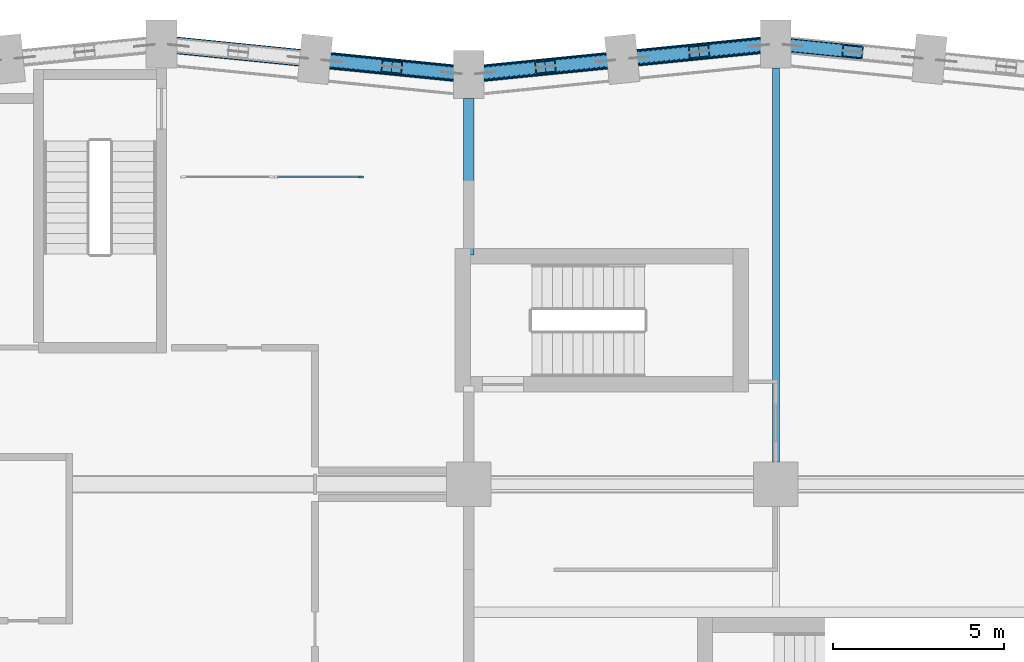
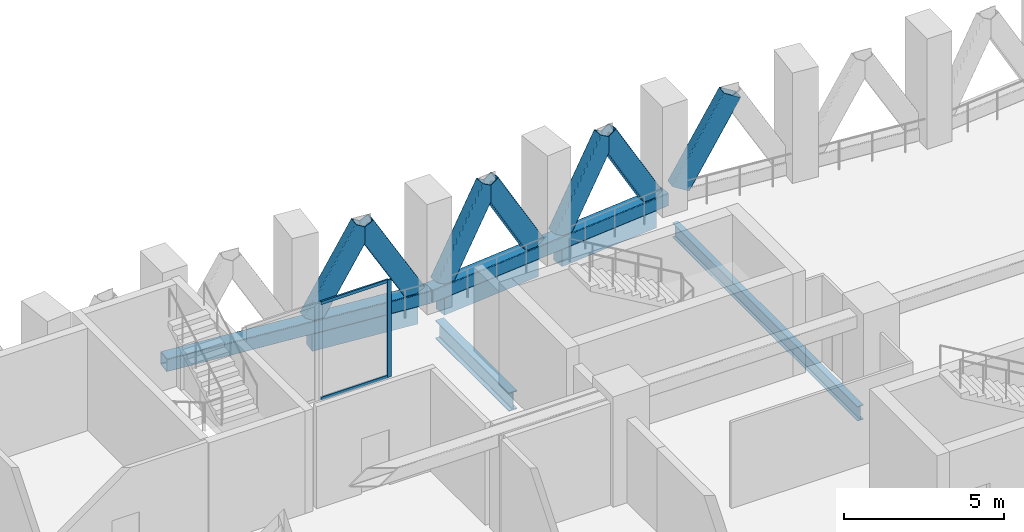
# One storey, part 10 of 25: 12 members, 5 beams, 1 element without a shape of its own.
"""IFC4 building model written with IfcOpenShell, lengths in metres."""

from ifc_helpers import new_model, si_unit, direction, frame, origin, origin_2d, place, context, subcontext, project, spatial, rectangle, hollow_rectangle, i_section, extrude, material, material_profile, profile_set, type_object, element, aggregate, save


model = new_model("IFC4")

# Units and contexts
model_context = context("Model", 3, precision=1e-05, world=origin(), true_north=direction((0.0, 1.0)))
body_context = subcontext(model_context, "Body", "Model", "MODEL_VIEW")
ifc_project = project(units=[si_unit("LENGTHUNIT", "METRE"), si_unit("AREAUNIT", "SQUARE_METRE"), si_unit("VOLUMEUNIT", "CUBIC_METRE"), si_unit("PLANEANGLEUNIT", "RADIAN"), si_unit("MASSUNIT", "GRAM", prefix="KILO")], contexts=[model_context])

# Site, building, storey
site_placement = place(None, origin())
site = spatial("IfcSite", under=ifc_project, at=site_placement, CompositionType="ELEMENT")
building_placement = place(site_placement, origin())
building = spatial("IfcBuilding", under=site, at=building_placement, Name="Brondeck Convention Tower", CompositionType="ELEMENT")
storey_placement = place(building_placement, frame((0.0, 0.0, 84.300048828125)))
storey = spatial("IfcBuildingStorey", under=building, at=storey_placement, Name="L19", CompositionType="ELEMENT", Elevation=84.300048828125)

# Curtain wall, members
ifc_material_1 = material(Name="Aluminium, bronze anodised", Category="aluminium")
curtain_wall_type = type_object("IfcCurtainWallType", Name="Band enclosure curtain wall", PredefinedType="NOTDEFINED", material=ifc_material_1)
curtain_wall_placement = place(storey_placement, origin())
curtain_wall = element("IfcCurtainWall", 1, at=curtain_wall_placement, inside=storey, type_object=curtain_wall_type, Name="ENV-L19-001-CW50", PredefinedType="NOTDEFINED")
ifc_material_profile_1 = material_profile(ifc_material_1, rectangle(XDim=0.06005859375, YDim=0.14990234375, at=origin_2d()), Name="CW5 mullion")
ifc_profile_set_1 = profile_set([ifc_material_profile_1], Name="Aluminium, bronze anodised")
member_type_1 = type_object("IfcMemberType", Name="CW5 mullion", PredefinedType="MULLION", material=ifc_profile_set_1)
member_1_placement = place(storey_placement, frame((32.85009765625, 60.0, 0.0), z_axis=(0.0, 0.0, 1.0), x_axis=(0.0, 1.0, 0.0)))
member_1 = element("IfcMember", 2, at=member_1_placement, type_object=member_type_1, Name="CW5 mullion 2", PredefinedType="MULLION", context=body_context, shape_type="SweptSolid", body=[
    extrude(rectangle(XDim=0.06005859375, YDim=0.14990234375, at=origin_2d()), origin(), (0.0, 0.0, 1.0), 3.699951171875),
])
ifc_material_profile_2 = material_profile(ifc_material_1, rectangle(XDim=0.06005859375, YDim=0.1201171875, at=origin_2d()), Name="CW5 transom")
ifc_profile_set_2 = profile_set([ifc_material_profile_2], Name="Aluminium, bronze anodised")
member_type_2 = type_object("IfcMemberType", Name="CW5 transom", PredefinedType="USERDEFINED", material=ifc_profile_set_2)
member_2_placement = place(storey_placement, frame((30.389892578125, 60.0, 0.030029296875), z_axis=(1.0, 0.0, 0.0), x_axis=(0.0, 1.0, 0.0)))
member_2 = element("IfcMember", 3, at=member_2_placement, type_object=member_type_2, Name="CW5 transom 1.1", ObjectType="TRANSOM", PredefinedType="USERDEFINED", context=body_context, shape_type="SweptSolid", body=[
    extrude(rectangle(XDim=0.06005859375, YDim=0.1201171875, at=origin_2d()), origin(), (0.0, 0.0, 1.0), 2.43017578125),
])
member_3_placement = place(storey_placement, frame((30.389892578125, 60.0, 3.669921875), z_axis=(1.0, 0.0, 0.0), x_axis=(0.0, 1.0, 0.0)))
member_3 = element("IfcMember", 4, at=member_3_placement, type_object=member_type_2, Name="CW5 transom 1.2", ObjectType="TRANSOM", PredefinedType="USERDEFINED", context=body_context, shape_type="SweptSolid", body=[
    extrude(rectangle(XDim=0.06005859375, YDim=0.1201171875, at=origin_2d()), origin(), (0.0, 0.0, 1.0), 2.43017578125),
])
aggregate(curtain_wall, [member_1, member_2, member_3])

# Members
ifc_material_2 = material(Name="Steel S460", Category="steel")
ifc_material_profile_3 = material_profile(ifc_material_2, hollow_rectangle(XDim=0.39990234375, YDim=0.699951171875, WallThickness=0.030029296875, InnerFilletRadius=0.030029296875, OuterFilletRadius=0.06005859375, at=origin_2d()), Name="RHS 700x400x30")
ifc_profile_set_3 = profile_set([ifc_material_profile_3], Name="Steel S460")
member_type_3 = type_object("IfcMemberType", Name="Chevron brace RHS 700x400x30", PredefinedType="BRACE", material=ifc_profile_set_3)
for number, where, z_axis, x_axis, name in (
    (5, (45.497802734375, 63.85009765625, 0.5), (0.49751766528, -0.049703241745, 0.866028729601), (0.099407628771, 0.995046794549, 0.0), "Belt truss BT-19-35 diagonal"),
    (6, (44.502197265625, 63.85009765625, 0.5), (-0.49751766528, -0.049703241745, 0.866028729601), (0.099407628771, -0.995046794549, 0.0), "Belt truss BT-19-36 diagonal"),
    (7, (40.997802734375, 63.499755859375, 0.5), (0.497515949904, 0.049772391254, 0.866025743647), (-0.099544899705, 0.995033071281, 0.0), "Belt truss BT-19-36 diagonal"),
    (8, (40.002197265625, 63.400146484375, 0.5), (-0.49751766528, -0.049703241745, 0.866028729601), (0.099407628771, -0.995046794549, 0.0), "Belt truss BT-19-37 diagonal"),
    (9, (36.497802734375, 63.0498046875, 0.5), (0.497515949904, 0.049772391254, 0.866025743647), (-0.099544899705, 0.995033071281, 0.0), "Belt truss BT-19-37 diagonal"),
    (10, (35.502197265625, 63.0498046875, 0.5), (-0.497515949904, 0.049772391254, 0.866025743647), (-0.099544899705, -0.995033071281, 0.0), "Belt truss BT-19-38 diagonal"),
    (11, (31.997802734375, 63.400146484375, 0.5), (0.49751766528, -0.049703241745, 0.866028729601), (0.099407628771, 0.995046794549, 0.0), "Belt truss BT-19-38 diagonal"),
):
    element("IfcMember", number, at=place(storey_placement, frame(where, z_axis=z_axis, x_axis=x_axis)), inside=storey, type_object=member_type_3, Name=name, PredefinedType="BRACE", context=body_context, shape_type="SweptSolid", body=[
        extrude(hollow_rectangle(XDim=0.39990234375, YDim=0.699951171875, WallThickness=0.030029296875, InnerFilletRadius=0.030029296875, OuterFilletRadius=0.06005859375, at=origin_2d()), origin(), (0.0, 0.0, 1.0), 3.52197265625),
    ])

# Beams
ifc_material_3 = material(Name="Steel S355", Category="steel")
ifc_material_profile_4 = material_profile(ifc_material_3, i_section(OverallWidth=0.2099609375, OverallDepth=0.550048828125, WebThickness=0.010986328125, FlangeThickness=0.01708984375, FilletRadius=0.02392578125, at=origin_2d()), Name="IPE 550")
ifc_profile_set_4 = profile_set([ifc_material_profile_4], Name="Steel S355")
beam_type_1 = type_object("IfcBeamType", Name="Floor beam IPE 550", PredefinedType="BEAM", material=ifc_profile_set_4)
beam_1_placement = place(storey_placement, frame((45.0, 51.64990234375, -0.574951171875), z_axis=(0.0, 1.0, 0.0), x_axis=(-1.0, 0.0, 0.0)))
element("IfcBeam", 12, at=beam_1_placement, inside=storey, type_object=beam_type_1, Name="STR-FB-L19-002", PredefinedType="BEAM", context=body_context, shape_type="SweptSolid", body=[
    extrude(i_section(OverallWidth=0.2099609375, OverallDepth=0.550048828125, WebThickness=0.010986328125, FlangeThickness=0.01708984375, FilletRadius=0.02392578125, at=origin_2d()), origin(), (0.0, 0.0, 1.0), 11.550048828125),
])
ifc_material_profile_5 = material_profile(ifc_material_3, i_section(OverallWidth=0.300048828125, OverallDepth=0.699951171875, WebThickness=0.01708984375, FlangeThickness=0.031982421875, FilletRadius=0.027099609375, at=origin_2d()), Name="HEB 700")
ifc_profile_set_5 = profile_set([ifc_material_profile_5], Name="Steel S355")
beam_type_2 = type_object("IfcBeamType", Name="Girder HEB 700", PredefinedType="BEAM", material=ifc_profile_set_5)
beam_2_placement = place(storey_placement, frame((36.0, 57.719970703125, -0.650146484375), z_axis=(0.0, 1.0, 0.0), x_axis=(-1.0, 0.0, 0.0)))
element("IfcBeam", 13, at=beam_2_placement, inside=storey, type_object=beam_type_2, Name="STR-GR-L19-012", PredefinedType="BEAM", context=body_context, shape_type="SweptSolid", body=[
    extrude(i_section(OverallWidth=0.300048828125, OverallDepth=0.699951171875, WebThickness=0.01708984375, FlangeThickness=0.031982421875, FilletRadius=0.027099609375, at=origin_2d()), origin(), (0.0, 0.0, 1.0), 4.580078125),
])
ifc_material_4 = material(Name="Concrete C80/95", Category="concrete")
ifc_material_profile_6 = material_profile(ifc_material_4, rectangle(XDim=0.449951171875, YDim=0.64990234375, at=origin_2d()), Name="Precast spandrel 450x650 Concrete C80/95")
ifc_profile_set_6 = profile_set([ifc_material_profile_6], Name="Concrete C80/95")
beam_type_3 = type_object("IfcBeamType", Name="Precast spandrel 450x650 Concrete C80/95", PredefinedType="SPANDREL", material=ifc_profile_set_6)
for number, where, z_axis, x_axis, name in (
    (14, (44.550048828125, 63.85498046875, -0.324951171875), (-0.995040528141, -0.099470334057, 0.0), (0.099470334057, -0.995040528141, 0.0), "STR-SP-L19-036"),
    (15, (40.05224609375, 63.4052734375, -0.324951171875), (-0.995033851182, -0.099537103649, 0.0), (0.099537103649, -0.995033851182, 0.0), "STR-SP-L19-037"),
    (16, (35.550048828125, 63.044921875, -0.324951171875), (-0.995033851182, 0.099537103649, 0.0), (-0.099537103649, -0.995033851182, 0.0), "STR-SP-L19-038"),
):
    element("IfcBeam", number, at=place(storey_placement, frame(where, z_axis=z_axis, x_axis=x_axis)), inside=storey, type_object=beam_type_3, Name=name, PredefinedType="SPANDREL", context=body_context, shape_type="SweptSolid", body=[
        extrude(rectangle(XDim=0.449951171875, YDim=0.64990234375, at=origin_2d()), origin(), (0.0, 0.0, 1.0), 3.620361328125),
    ])

# Members
ifc_material_profile_7 = material_profile(ifc_material_2, hollow_rectangle(XDim=0.5, YDim=0.5, WallThickness=0.02490234375, InnerFilletRadius=0.02490234375, OuterFilletRadius=0.050048828125, at=origin_2d()), Name="RHS 500x500x25")
ifc_profile_set_7 = profile_set([ifc_material_profile_7], Name="Steel S460")
member_type_4 = type_object("IfcMemberType", Name="Truss chord RHS 500x500x25", PredefinedType="CHORD", material=ifc_profile_set_7)
for number, where, z_axis, x_axis, name in (
    (17, (45.0, 63.89990234375, 0.25), (-0.995038259148, -0.099493029059, 0.0), (0.099493029059, -0.995038259148, 0.0), "Belt truss BT-19-19 chord"),
    (18, (36.0, 63.0, 0.25), (-0.995038259148, 0.099493029059, 0.0), (-0.099493029059, -0.995038259148, 0.0), "Belt truss BT-19-20 chord"),
):
    element("IfcMember", number, at=place(storey_placement, frame(where, z_axis=z_axis, x_axis=x_axis)), inside=storey, type_object=member_type_4, Name=name, PredefinedType="CHORD", context=body_context, shape_type="SweptSolid", body=[
        extrude(hollow_rectangle(XDim=0.5, YDim=0.5, WallThickness=0.02490234375, InnerFilletRadius=0.02490234375, OuterFilletRadius=0.050048828125, at=origin_2d()), origin(), (0.0, 0.0, 1.0), 9.044921875),
    ])

save(model, "model.ifc")
